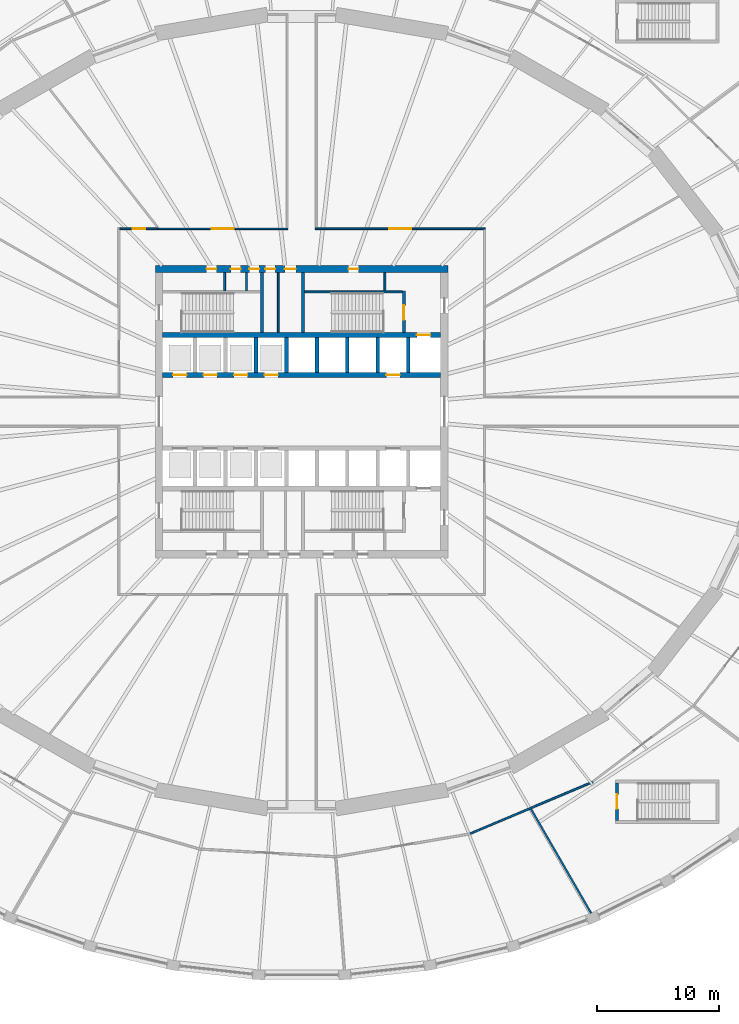
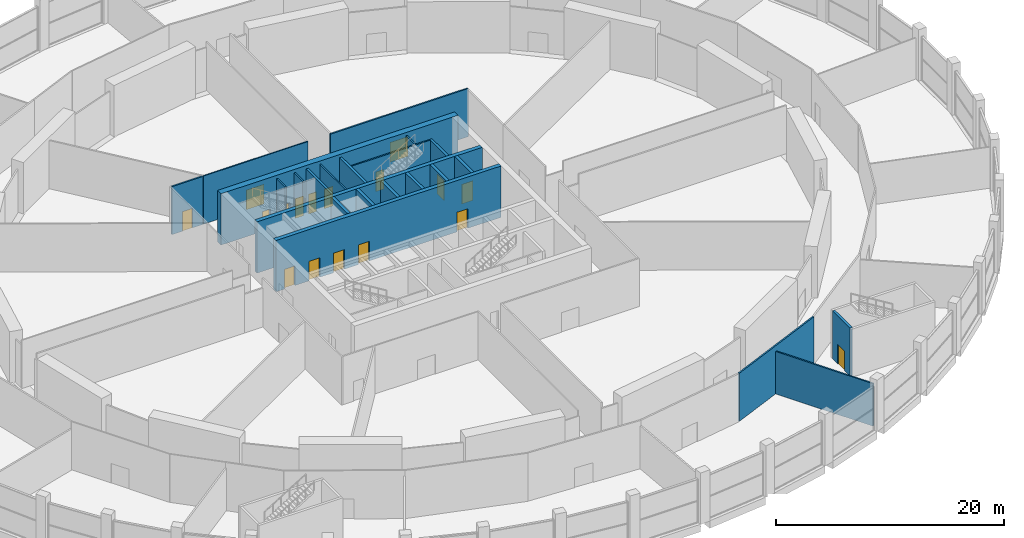
# One storey, part 22 of 29: 23 walls, 17 doors, 17 openings.
"""IFC4 building model written with IfcOpenShell, lengths in metres."""

from ifc_helpers import new_model, si_unit, direction, frame, frame_2d, origin, place, context, subcontext, project, spatial, polyline, rectangle, outline, extrude, material, layer, layer_set, type_object, element, fill, save


model = new_model("IFC4")

# Units and contexts
model_context = context("Model", 3, precision=1e-05, world=origin(), true_north=direction((0.0, 1.0)))
body_context = subcontext(model_context, "Body", "Model", "MODEL_VIEW")
ifc_project = project(units=[si_unit("LENGTHUNIT", "METRE"), si_unit("AREAUNIT", "SQUARE_METRE"), si_unit("VOLUMEUNIT", "CUBIC_METRE"), si_unit("PLANEANGLEUNIT", "RADIAN"), si_unit("MASSUNIT", "GRAM", prefix="KILO")], contexts=[model_context])

# Site, building, storey
site_placement = place(None, origin())
site = spatial("IfcSite", under=ifc_project, at=site_placement, CompositionType="ELEMENT")
building_placement = place(site_placement, origin())
building = spatial("IfcBuilding", under=site, at=building_placement, Name="Halqa Exchange Tower", CompositionType="ELEMENT")
storey_placement = place(building_placement, frame((0.0, 0.0, 12.5)))
storey = spatial("IfcBuildingStorey", under=building, at=storey_placement, Name="L02", CompositionType="ELEMENT", Elevation=12.5)

# Wall, opening, door
ifc_material_1 = material(Name="Fire-rated gypsum board")
ifc_layer_1 = layer(ifc_material_1, 0.14990234375)
ifc_layer_set_1 = layer_set([ifc_layer_1], Name="Fire-rated gypsum board")
wall_type_1 = type_object("IfcWallType", Name="Fire partition EI 60 150", PredefinedType="PARTITIONING", material=ifc_layer_set_1)
wall_1_placement = place(storey_placement, frame((-14.925048828125, 15.0, 0.0), z_axis=(0.0, 0.0, 1.0), x_axis=(1.0, 0.0, 0.0)))
wall_1 = element("IfcWall", 1, at=wall_1_placement, inside=storey, type_object=wall_type_1, Name="L02-PWL-034", PredefinedType="PARTITIONING", context=body_context, shape_type="SweptSolid", body=[
    extrude(rectangle(XDim=3.114990234375, YDim=0.14990234375, at=frame_2d((1.5576171875, 0.0))), origin(), (0.0, 0.0, 1.0), 5.14990234375),
])
opening_1_placement = place(wall_1_placement, frame((1.074951171875, 0.0, 0.0)))
opening_1 = element("IfcOpeningElement", 2, at=opening_1_placement, cuts=wall_1, Name="Opening L02-06", PredefinedType="OPENING", context=body_context, shape_type="SweptSolid", body=[
    extrude(rectangle(XDim=1.0, YDim=2.10009765625, at=frame_2d((0.5, 1.050048828125))), frame((0.0, 0.0869140625, 0.0), z_axis=(0.0, -1.0, 0.0), x_axis=(1.0, 0.0, 0.0)), (0.0, 0.0, 1.0), 0.173828125),
])
ifc_material_2 = material(Name="Steel fire door leaf", Category="steel")
door_type_1 = type_object("IfcDoorType", Name="Fire door FD30S 1000 x 2100", OperationType="SINGLE_SWING_LEFT", PredefinedType="DOOR", material=ifc_material_2)
door_1_placement = place(opening_1_placement, origin())
door_1 = element("IfcDoor", 3, at=door_1_placement, inside=storey, type_object=door_type_1, Name="L02-IDR-006", OperationType="SINGLE_SWING_LEFT", OverallHeight=2.10009765625, OverallWidth=1.0, PredefinedType="DOOR", context=body_context, shape_type="SweptSolid", body=[
    extrude(rectangle(XDim=1.0, YDim=2.10009765625, at=frame_2d((0.5, 1.050048828125))), frame((0.0, 0.02490234375, 0.0), z_axis=(0.0, -1.0, 0.0), x_axis=(1.0, 0.0, 0.0)), (0.0, 0.0, 1.0), 0.050048828125),
])
fill(opening_1, door_1)

wall_2_placement = place(storey_placement, frame((1.125, 15.0, 0.0), z_axis=(0.0, 0.0, 1.0), x_axis=(1.0, 0.0, 0.0)))
wall_2 = element("IfcWall", 4, at=wall_2_placement, inside=storey, type_object=wall_type_1, Name="L02-PWL-049", PredefinedType="PARTITIONING", context=body_context, shape_type="SweptSolid", body=[
    extrude(rectangle(XDim=13.949951171875, YDim=0.14990234375, at=frame_2d((6.97509765625, 0.0))), origin(), (0.0, 0.0, 1.0), 5.14990234375),
])
opening_2_placement = place(wall_2_placement, frame((6.06005859375, 0.0, 0.0)))
opening_2 = element("IfcOpeningElement", 5, at=opening_2_placement, cuts=wall_2, Name="Opening L02-02", PredefinedType="OPENING", context=body_context, shape_type="SweptSolid", body=[
    extrude(rectangle(XDim=1.800048828125, YDim=2.10009765625, at=frame_2d((0.89990234375, 1.050048828125))), frame((0.0, 0.0869140625, 0.0), z_axis=(0.0, -1.0, 0.0), x_axis=(1.0, 0.0, 0.0)), (0.0, 0.0, 1.0), 0.173828125),
])
door_type_2 = type_object("IfcDoorType", Name="Fire door FD30S double 1800 x 2100", OperationType="DOUBLE_DOOR_SINGLE_SWING", PredefinedType="DOOR", material=ifc_material_2)
door_2_placement = place(opening_2_placement, frame((1.800048828125, 0.0, 0.0), z_axis=(0.0, 0.0, 1.0), x_axis=(-1.0, 0.0, 0.0)))
door_2 = element("IfcDoor", 6, at=door_2_placement, inside=storey, type_object=door_type_2, Name="L02-IDR-002", OperationType="DOUBLE_DOOR_SINGLE_SWING", OverallHeight=2.10009765625, OverallWidth=1.800048828125, PredefinedType="DOOR", context=body_context, shape_type="SweptSolid", body=[
    extrude(rectangle(XDim=1.800048828125, YDim=2.10009765625, at=frame_2d((0.89990234375, 1.050048828125))), frame((0.0, 0.02490234375, 0.0), z_axis=(0.0, -1.0, 0.0), x_axis=(1.0, 0.0, 0.0)), (0.0, 0.0, 1.0), 0.050048828125),
])
fill(opening_2, door_2)

# Walls
wall_3_placement = place(storey_placement, frame((13.8525390625, -34.61083984375, 0.0), z_axis=(0.0, 0.0, 1.0), x_axis=(0.9212761968, 0.388908947197, 0.0)))
element("IfcWall", 7, at=wall_3_placement, inside=storey, type_object=wall_type_1, Name="L02-PWL-057", PredefinedType="PARTITIONING", context=body_context, shape_type="SweptSolid", body=[
    extrude(rectangle(XDim=10.874755859375, YDim=0.14990234375, at=frame_2d((5.4375, 0.0))), origin(), (0.0, 0.0, 1.0), 5.14990234375),
])
wall_4_placement = place(storey_placement, frame((23.7451171875, -41.150390625, 0.0), z_axis=(0.0, 0.0, 1.0), x_axis=(-0.499854452602, 0.866109419308, 0.0)))
element("IfcWall", 8, at=wall_4_placement, inside=storey, type_object=wall_type_1, Name="L02-PWL-068", PredefinedType="PARTITIONING", context=body_context, shape_type="SweptSolid", body=[
    extrude(outline(polyline([(-0.00927734375, -0.074951171875), (9.8642578125, -0.074951171875), (9.8828125, 0.074951171875), (0.00927734375, 0.074951171875), (-0.00927734375, -0.074951171875)])), origin(), (0.0, 0.0, 1.0), 4.550048828125),
])

# Wall, opening, door
ifc_material_3 = material(Name="Fire-rated glazing", Category="glass")
ifc_layer_2 = layer(ifc_material_3, 0.1201171875)
ifc_layer_set_2 = layer_set([ifc_layer_2], Name="Fire-rated glazing")
wall_type_2 = type_object("IfcWallType", Name="Glazed fire partition EI 60 120", PredefinedType="PARTITIONING", material=ifc_layer_set_2)
wall_5_placement = place(storey_placement, frame((-11.755615234375, 15.0, 0.0), z_axis=(0.0, 0.0, 1.0), x_axis=(1.0, 0.0, 0.0)))
wall_5 = element("IfcWall", 9, at=wall_5_placement, inside=storey, type_object=wall_type_2, Name="L02-PWL-038", PredefinedType="PARTITIONING", context=body_context, shape_type="SweptSolid", body=[
    extrude(rectangle(XDim=10.61572265625, YDim=0.1201171875, at=frame_2d((5.307861328125, 0.0))), origin(), (0.0, 0.0, 1.0), 5.14990234375),
])
opening_3_placement = place(wall_5_placement, frame((4.386474609375, 0.0, 0.0)))
opening_3 = element("IfcOpeningElement", 10, at=opening_3_placement, cuts=wall_5, Name="Opening L02-05", PredefinedType="OPENING", context=body_context, shape_type="SweptSolid", body=[
    extrude(rectangle(XDim=1.800048828125, YDim=2.10009765625, at=frame_2d((0.89990234375, 1.050048828125))), frame((0.0, 0.072021484375, 0.0), z_axis=(0.0, -1.0, 0.0), x_axis=(1.0, 0.0, 0.0)), (0.0, 0.0, 1.0), 0.14404296875),
])
door_3_placement = place(opening_3_placement, origin())
door_3 = element("IfcDoor", 11, at=door_3_placement, inside=storey, type_object=door_type_2, Name="L02-IDR-005", OperationType="DOUBLE_DOOR_SINGLE_SWING", OverallHeight=2.10009765625, OverallWidth=1.800048828125, PredefinedType="DOOR", context=body_context, shape_type="SweptSolid", body=[
    extrude(rectangle(XDim=1.800048828125, YDim=2.10009765625, at=frame_2d((0.89990234375, 1.050048828125))), frame((0.0, 0.02490234375, 0.0), z_axis=(0.0, -1.0, 0.0), x_axis=(1.0, 0.0, 0.0)), (0.0, 0.0, 1.0), 0.050048828125),
])
fill(opening_3, door_3)

# Walls
ifc_material_4 = material(Name="Gypsum board")
ifc_layer_3 = layer(ifc_material_4, 0.14990234375)
ifc_layer_set_3 = layer_set([ifc_layer_3], Name="Gypsum board")
wall_type_3 = type_object("IfcWallType", Name="Penthouse riser wall 150 gypsum", PredefinedType="PARTITIONING", material=ifc_layer_set_3)
wall_6_placement = place(storey_placement, frame((-1.925048828125, 6.5, 0.0), z_axis=(0.0, 0.0, 1.0), x_axis=(0.0, 1.0, 0.0)))
element("IfcWall", 12, at=wall_6_placement, inside=storey, type_object=wall_type_3, Name="Partition W1.925 N", PredefinedType="PARTITIONING", context=body_context, shape_type="SweptSolid", body=[
    extrude(rectangle(XDim=4.89990234375, YDim=0.14990234375, at=frame_2d((2.449951171875, 0.0))), origin(), (0.0, 0.0, 1.0), 5.14990234375),
])
for number, where, z_axis, x_axis, name in (
    (13, (-6.324951171875, 9.89990234375, 0.0), (0.0, 0.0, 1.0), (0.0, 1.0, 0.0), "Partition W6.325 N"),
    (14, (-4.52490234375, 9.89990234375, 0.0), (0.0, 0.0, 1.0), (0.0, 1.0, 0.0), "Partition W4.525 N"),
    (15, (6.824951171875, 9.89990234375, 0.0), (0.0, 0.0, 1.0), (0.0, 1.0, 0.0), "Firefighting lobby west wall N"),
):
    element("IfcWall", number, at=place(storey_placement, frame(where, z_axis=z_axis, x_axis=x_axis)), inside=storey, type_object=wall_type_3, Name=name, PredefinedType="PARTITIONING", context=body_context, shape_type="SweptSolid", body=[
        extrude(rectangle(XDim=1.5, YDim=0.14990234375, at=frame_2d((0.75, 0.0))), origin(), (0.0, 0.0, 1.0), 5.14990234375),
    ])
ifc_material_5 = material(Name="Concrete C60/75", Category="concrete")
ifc_layer_4 = layer(ifc_material_5, 0.300048828125)
ifc_layer_set_4 = layer_set([ifc_layer_4], Name="Concrete C60/75")
wall_type_4 = type_object("IfcWallType", Name="RC core wall 300", PredefinedType="SHEAR", material=ifc_layer_set_4)
for number, where, z_axis, x_axis, name in (
    (16, (-3.75, 3.199951171875, 0.0), (0.0, 0.0, 1.0), (0.0, 1.0, 0.0), "Shaft divider N3"),
    (17, (-1.25, 3.199951171875, 0.0), (0.0, 0.0, 1.0), (0.0, 1.0, 0.0), "Shaft divider N4"),
    (18, (1.25, 3.199951171875, 0.0), (0.0, 0.0, 1.0), (0.0, 1.0, 0.0), "Shaft divider N5"),
    (19, (3.75, 3.199951171875, 0.0), (0.0, 0.0, 1.0), (0.0, 1.0, 0.0), "Shaft divider N6"),
    (20, (6.25, 3.199951171875, 0.0), (0.0, 0.0, 1.0), (0.0, 1.0, 0.0), "Shaft divider N7"),
    (21, (8.75, 3.199951171875, 0.0), (0.0, 0.0, 1.0), (0.0, 1.0, 0.0), "Shaft divider N8"),
):
    element("IfcWall", number, at=place(storey_placement, frame(where, z_axis=z_axis, x_axis=x_axis)), inside=storey, type_object=wall_type_4, Name=name, PredefinedType="SHEAR", context=body_context, shape_type="SweptSolid", body=[
        extrude(rectangle(XDim=2.900146484375, YDim=0.300048828125, at=frame_2d((1.4501953125, 0.0))), origin(), (0.0, 0.0, 1.0), 5.5),
    ])

# Wall, openings, doors
ifc_material_6 = material(Name="Concrete C80/95", Category="concrete")
ifc_layer_5 = layer(ifc_material_6, 0.39990234375)
ifc_layer_set_5 = layer_set([ifc_layer_5], Name="Concrete C80/95")
wall_type_5 = type_object("IfcWallType", Name="RC core wall 400 C80/95", PredefinedType="SHEAR", material=ifc_layer_set_5)
wall_7_placement = place(storey_placement, frame((-11.39990234375, 3.0, 0.0), z_axis=(0.0, 0.0, 1.0), x_axis=(1.0, 0.0, 0.0)))
wall_7 = element("IfcWall", 22, at=wall_7_placement, inside=storey, type_object=wall_type_5, Name="Lift row front wall N", PredefinedType="SHEAR", context=body_context, shape_type="SweptSolid", body=[
    extrude(rectangle(XDim=22.7998046875, YDim=0.39990234375, at=frame_2d((11.39990234375, 0.0))), origin(), (0.0, 0.0, 1.0), 5.5),
])
opening_4_placement = place(wall_7_placement, frame((0.85009765625, 0.0, 0.0)))
opening_4 = element("IfcOpeningElement", 23, at=opening_4_placement, cuts=wall_7, Name="Opening LD-LR1-L02", PredefinedType="OPENING", context=body_context, shape_type="SweptSolid", body=[
    extrude(rectangle(XDim=1.10009765625, YDim=2.10009765625, at=frame_2d((0.550048828125, 1.050048828125))), frame((0.0, 0.2119140625, 0.0), z_axis=(0.0, -1.0, 0.0), x_axis=(1.0, 0.0, 0.0)), (0.0, 0.0, 1.0), 0.423828125),
])
opening_5_placement = place(wall_7_placement, frame((3.35009765625, 0.0, 0.0)))
opening_5 = element("IfcOpeningElement", 24, at=opening_5_placement, cuts=wall_7, Name="Opening LD-LR2-L02", PredefinedType="OPENING", context=body_context, shape_type="SweptSolid", body=[
    extrude(rectangle(XDim=1.10009765625, YDim=2.10009765625, at=frame_2d((0.550048828125, 1.050048828125))), frame((0.0, 0.2119140625, 0.0), z_axis=(0.0, -1.0, 0.0), x_axis=(1.0, 0.0, 0.0)), (0.0, 0.0, 1.0), 0.423828125),
])
opening_6_placement = place(wall_7_placement, frame((5.85009765625, 0.0, 0.0)))
opening_6 = element("IfcOpeningElement", 25, at=opening_6_placement, cuts=wall_7, Name="Opening LD-LR3-L02", PredefinedType="OPENING", context=body_context, shape_type="SweptSolid", body=[
    extrude(rectangle(XDim=1.10009765625, YDim=2.10009765625, at=frame_2d((0.550048828125, 1.050048828125))), frame((0.0, 0.2119140625, 0.0), z_axis=(0.0, -1.0, 0.0), x_axis=(1.0, 0.0, 0.0)), (0.0, 0.0, 1.0), 0.423828125),
])
opening_7_placement = place(wall_7_placement, frame((8.35009765625, 0.0, 0.0)))
opening_7 = element("IfcOpeningElement", 26, at=opening_7_placement, cuts=wall_7, Name="Opening LD-LR4-L02", PredefinedType="OPENING", context=body_context, shape_type="SweptSolid", body=[
    extrude(rectangle(XDim=1.10009765625, YDim=2.10009765625, at=frame_2d((0.550048828125, 1.050048828125))), frame((0.0, 0.2119140625, 0.0), z_axis=(0.0, -1.0, 0.0), x_axis=(1.0, 0.0, 0.0)), (0.0, 0.0, 1.0), 0.423828125),
])
opening_8_placement = place(wall_7_placement, frame((18.35009765625, 0.0, 0.0)))
opening_8 = element("IfcOpeningElement", 27, at=opening_8_placement, cuts=wall_7, Name="Opening LD-SV1-L02", PredefinedType="OPENING", context=body_context, shape_type="SweptSolid", body=[
    extrude(rectangle(XDim=1.10009765625, YDim=2.10009765625, at=frame_2d((0.550048828125, 1.050048828125))), frame((0.0, 0.2119140625, 0.0), z_axis=(0.0, -1.0, 0.0), x_axis=(1.0, 0.0, 0.0)), (0.0, 0.0, 1.0), 0.423828125),
])
ifc_material_7 = material(Name="Stainless steel", Category="steel")
door_type_3 = type_object("IfcDoorType", Name="Lift landing door 1100 x 2100", OperationType="SLIDING_TO_LEFT", PredefinedType="DOOR", material=ifc_material_7)
door_4_placement = place(opening_4_placement, origin())
door_4 = element("IfcDoor", 28, at=door_4_placement, inside=storey, type_object=door_type_3, Name="Lift landing door LR1", OperationType="SLIDING_TO_LEFT", OverallHeight=2.10009765625, OverallWidth=1.10009765625, PredefinedType="DOOR", context=body_context, shape_type="SweptSolid", body=[
    extrude(rectangle(XDim=1.10009765625, YDim=2.10009765625, at=frame_2d((0.550048828125, 1.050048828125))), frame((0.0, 0.02490234375, 0.0), z_axis=(0.0, -1.0, 0.0), x_axis=(1.0, 0.0, 0.0)), (0.0, 0.0, 1.0), 0.050048828125),
])
fill(opening_4, door_4)
door_5_placement = place(opening_5_placement, origin())
door_5 = element("IfcDoor", 29, at=door_5_placement, inside=storey, type_object=door_type_3, Name="Lift landing door LR2", OperationType="SLIDING_TO_LEFT", OverallHeight=2.10009765625, OverallWidth=1.10009765625, PredefinedType="DOOR", context=body_context, shape_type="SweptSolid", body=[
    extrude(rectangle(XDim=1.10009765625, YDim=2.10009765625, at=frame_2d((0.550048828125, 1.050048828125))), frame((0.0, 0.02490234375, 0.0), z_axis=(0.0, -1.0, 0.0), x_axis=(1.0, 0.0, 0.0)), (0.0, 0.0, 1.0), 0.050048828125),
])
fill(opening_5, door_5)
door_6_placement = place(opening_6_placement, origin())
door_6 = element("IfcDoor", 30, at=door_6_placement, inside=storey, type_object=door_type_3, Name="Lift landing door LR3", OperationType="SLIDING_TO_LEFT", OverallHeight=2.10009765625, OverallWidth=1.10009765625, PredefinedType="DOOR", context=body_context, shape_type="SweptSolid", body=[
    extrude(rectangle(XDim=1.10009765625, YDim=2.10009765625, at=frame_2d((0.550048828125, 1.050048828125))), frame((0.0, 0.02490234375, 0.0), z_axis=(0.0, -1.0, 0.0), x_axis=(1.0, 0.0, 0.0)), (0.0, 0.0, 1.0), 0.050048828125),
])
fill(opening_6, door_6)
door_7_placement = place(opening_7_placement, origin())
door_7 = element("IfcDoor", 31, at=door_7_placement, inside=storey, type_object=door_type_3, Name="Lift landing door LR4", OperationType="SLIDING_TO_LEFT", OverallHeight=2.10009765625, OverallWidth=1.10009765625, PredefinedType="DOOR", context=body_context, shape_type="SweptSolid", body=[
    extrude(rectangle(XDim=1.10009765625, YDim=2.10009765625, at=frame_2d((0.550048828125, 1.050048828125))), frame((0.0, 0.02490234375, 0.0), z_axis=(0.0, -1.0, 0.0), x_axis=(1.0, 0.0, 0.0)), (0.0, 0.0, 1.0), 0.050048828125),
])
fill(opening_7, door_7)
door_8_placement = place(opening_8_placement, origin())
door_8 = element("IfcDoor", 32, at=door_8_placement, inside=storey, type_object=door_type_3, Name="Lift landing door SV1", OperationType="SLIDING_TO_LEFT", OverallHeight=2.10009765625, OverallWidth=1.10009765625, PredefinedType="DOOR", context=body_context, shape_type="SweptSolid", body=[
    extrude(rectangle(XDim=1.10009765625, YDim=2.10009765625, at=frame_2d((0.550048828125, 1.050048828125))), frame((0.0, 0.02490234375, 0.0), z_axis=(0.0, -1.0, 0.0), x_axis=(1.0, 0.0, 0.0)), (0.0, 0.0, 1.0), 0.050048828125),
])
fill(opening_8, door_8)

# Wall, opening, door
wall_8_placement = place(storey_placement, frame((-11.39990234375, 6.300048828125, 0.0), z_axis=(0.0, 0.0, 1.0), x_axis=(1.0, 0.0, 0.0)))
wall_8 = element("IfcWall", 33, at=wall_8_placement, inside=storey, type_object=wall_type_5, Name="Lift row back wall N", PredefinedType="SHEAR", context=body_context, shape_type="SweptSolid", body=[
    extrude(rectangle(XDim=22.7998046875, YDim=0.39990234375, at=frame_2d((11.39990234375, 0.0))), origin(), (0.0, 0.0, 1.0), 5.5),
])
opening_9_placement = place(wall_8_placement, frame((20.85009765625, 0.0, 0.0)))
opening_9 = element("IfcOpeningElement", 34, at=opening_9_placement, cuts=wall_8, Name="Opening LD-FF1-L02", PredefinedType="OPENING", context=body_context, shape_type="SweptSolid", body=[
    extrude(rectangle(XDim=1.10009765625, YDim=2.10009765625, at=frame_2d((0.550048828125, 1.050048828125))), frame((0.0, 0.2119140625, 0.0), z_axis=(0.0, -1.0, 0.0), x_axis=(1.0, 0.0, 0.0)), (0.0, 0.0, 1.0), 0.423828125),
])
door_9_placement = place(opening_9_placement, origin())
door_9 = element("IfcDoor", 35, at=door_9_placement, inside=storey, type_object=door_type_3, Name="Lift landing door FF1", OperationType="SLIDING_TO_LEFT", OverallHeight=2.10009765625, OverallWidth=1.10009765625, PredefinedType="DOOR", context=body_context, shape_type="SweptSolid", body=[
    extrude(rectangle(XDim=1.10009765625, YDim=2.10009765625, at=frame_2d((0.550048828125, 1.050048828125))), frame((0.0, 0.02490234375, 0.0), z_axis=(0.0, -1.0, 0.0), x_axis=(1.0, 0.0, 0.0)), (0.0, 0.0, 1.0), 0.050048828125),
])
fill(opening_9, door_9)

# Wall, openings, doors
ifc_layer_6 = layer(ifc_material_6, 0.60009765625)
ifc_layer_set_6 = layer_set([ifc_layer_6], Name="Concrete C80/95")
wall_type_6 = type_object("IfcWallType", Name="RC core wall 600 C80/95", PredefinedType="SHEAR", material=ifc_layer_set_6)
wall_9_placement = place(storey_placement, frame((-12.0, 11.699951171875, 0.0), z_axis=(0.0, 0.0, 1.0), x_axis=(1.0, 0.0, 0.0)))
wall_9 = element("IfcWall", 36, at=wall_9_placement, inside=storey, type_object=wall_type_6, Name="Core wall north", PredefinedType="SHEAR", context=body_context, shape_type="SweptSolid", body=[
    extrude(rectangle(XDim=24.0, YDim=0.60009765625, at=frame_2d((12.0, 0.0))), origin(), (0.0, 0.0, 1.0), 5.5),
])
opening_10_placement = place(wall_9_placement, frame((9.02490234375, 0.0, 0.0)))
opening_10 = element("IfcOpeningElement", 37, at=opening_10_placement, cuts=wall_9, Name="Opening L02-C25", PredefinedType="OPENING", context=body_context, shape_type="SweptSolid", body=[
    extrude(rectangle(XDim=0.800048828125, YDim=2.10009765625, at=frame_2d((0.39990234375, 1.050048828125))), frame((0.0, 0.31201171875, 0.0), z_axis=(0.0, -1.0, 0.0), x_axis=(1.0, 0.0, 0.0)), (0.0, 0.0, 1.0), 0.6240234375),
])
opening_11_placement = place(wall_9_placement, frame((10.625, 0.0, 0.0)))
opening_11 = element("IfcOpeningElement", 38, at=opening_11_placement, cuts=wall_9, Name="Opening L02-C26", PredefinedType="OPENING", context=body_context, shape_type="SweptSolid", body=[
    extrude(rectangle(XDim=0.89990234375, YDim=2.10009765625, at=frame_2d((0.449951171875, 1.050048828125))), frame((0.0, 0.31201171875, 0.0), z_axis=(0.0, -1.0, 0.0), x_axis=(1.0, 0.0, 0.0)), (0.0, 0.0, 1.0), 0.6240234375),
])
opening_12_placement = place(wall_9_placement, frame((4.199951171875, 0.0, 0.0)))
opening_12 = element("IfcOpeningElement", 39, at=opening_12_placement, cuts=wall_9, Name="Opening L02-C27", PredefinedType="OPENING", context=body_context, shape_type="SweptSolid", body=[
    extrude(rectangle(XDim=0.800048828125, YDim=2.10009765625, at=frame_2d((0.39990234375, 1.050048828125))), frame((0.0, 0.31201171875, 0.0), z_axis=(0.0, -1.0, 0.0), x_axis=(1.0, 0.0, 0.0)), (0.0, 0.0, 1.0), 0.6240234375),
])
opening_13_placement = place(wall_9_placement, frame((6.199951171875, 0.0, 0.0)))
opening_13 = element("IfcOpeningElement", 40, at=opening_13_placement, cuts=wall_9, Name="Opening L02-C28", PredefinedType="OPENING", context=body_context, shape_type="SweptSolid", body=[
    extrude(rectangle(XDim=0.800048828125, YDim=2.10009765625, at=frame_2d((0.39990234375, 1.050048828125))), frame((0.0, 0.31201171875, 0.0), z_axis=(0.0, -1.0, 0.0), x_axis=(1.0, 0.0, 0.0)), (0.0, 0.0, 1.0), 0.6240234375),
])
opening_14_placement = place(wall_9_placement, frame((7.699951171875, 0.0, 0.0)))
opening_14 = element("IfcOpeningElement", 41, at=opening_14_placement, cuts=wall_9, Name="Opening L02-C29", PredefinedType="OPENING", context=body_context, shape_type="SweptSolid", body=[
    extrude(rectangle(XDim=0.800048828125, YDim=2.10009765625, at=frame_2d((0.39990234375, 1.050048828125))), frame((0.0, 0.31201171875, 0.0), z_axis=(0.0, -1.0, 0.0), x_axis=(1.0, 0.0, 0.0)), (0.0, 0.0, 1.0), 0.6240234375),
])
opening_15_placement = place(wall_9_placement, frame((15.85009765625, 0.0, 0.0)))
opening_15 = element("IfcOpeningElement", 42, at=opening_15_placement, cuts=wall_9, Name="Opening L02-C30", PredefinedType="OPENING", context=body_context, shape_type="SweptSolid", body=[
    extrude(rectangle(XDim=0.800048828125, YDim=2.10009765625, at=frame_2d((0.39990234375, 1.050048828125))), frame((0.0, 0.31201171875, 0.0), z_axis=(0.0, -1.0, 0.0), x_axis=(1.0, 0.0, 0.0)), (0.0, 0.0, 1.0), 0.6240234375),
])
ifc_material_8 = material(Name="Timber fire door leaf", Category="wood")
door_type_4 = type_object("IfcDoorType", Name="Core room door FD30 900 x 2100", OperationType="SINGLE_SWING_LEFT", PredefinedType="DOOR", material=ifc_material_8)
door_10_placement = place(opening_11_placement, frame((0.89990234375, 0.0, 0.0), z_axis=(0.0, 0.0, 1.0), x_axis=(-1.0, 0.0, 0.0)))
door_10 = element("IfcDoor", 43, at=door_10_placement, inside=storey, type_object=door_type_4, Name="Core room door", OperationType="SINGLE_SWING_LEFT", OverallHeight=2.10009765625, OverallWidth=0.89990234375, PredefinedType="DOOR", context=body_context, shape_type="SweptSolid", body=[
    extrude(rectangle(XDim=0.89990234375, YDim=2.10009765625, at=frame_2d((0.449951171875, 1.050048828125))), frame((0.0, 0.02490234375, 0.0), z_axis=(0.0, -1.0, 0.0), x_axis=(1.0, 0.0, 0.0)), (0.0, 0.0, 1.0), 0.050048828125),
])
fill(opening_11, door_10)
door_type_5 = type_object("IfcDoorType", Name="Riser door FD60 800 x 2100", OperationType="SINGLE_SWING_LEFT", PredefinedType="DOOR", material=ifc_material_2)
door_11_placement = place(opening_10_placement, frame((0.800048828125, 0.0, 0.0), z_axis=(0.0, 0.0, 1.0), x_axis=(-1.0, 0.0, 0.0)))
door_11 = element("IfcDoor", 44, at=door_11_placement, inside=storey, type_object=door_type_5, Name="Core room door", OperationType="SINGLE_SWING_LEFT", OverallHeight=2.10009765625, OverallWidth=0.800048828125, PredefinedType="DOOR", context=body_context, shape_type="SweptSolid", body=[
    extrude(rectangle(XDim=0.800048828125, YDim=2.10009765625, at=frame_2d((0.39990234375, 1.050048828125))), frame((0.0, 0.02490234375, 0.0), z_axis=(0.0, -1.0, 0.0), x_axis=(1.0, 0.0, 0.0)), (0.0, 0.0, 1.0), 0.050048828125),
])
fill(opening_10, door_11)
door_12_placement = place(opening_12_placement, frame((0.800048828125, 0.0, 0.0), z_axis=(0.0, 0.0, 1.0), x_axis=(-1.0, 0.0, 0.0)))
door_12 = element("IfcDoor", 45, at=door_12_placement, inside=storey, type_object=door_type_5, Name="Core room door", OperationType="SINGLE_SWING_RIGHT", OverallHeight=2.10009765625, OverallWidth=0.800048828125, PredefinedType="DOOR", context=body_context, shape_type="SweptSolid", body=[
    extrude(rectangle(XDim=0.800048828125, YDim=2.10009765625, at=frame_2d((0.39990234375, 1.050048828125))), frame((0.0, 0.02490234375, 0.0), z_axis=(0.0, -1.0, 0.0), x_axis=(1.0, 0.0, 0.0)), (0.0, 0.0, 1.0), 0.050048828125),
])
fill(opening_12, door_12)
door_13_placement = place(opening_13_placement, frame((0.800048828125, 0.0, 0.0), z_axis=(0.0, 0.0, 1.0), x_axis=(-1.0, 0.0, 0.0)))
door_13 = element("IfcDoor", 46, at=door_13_placement, inside=storey, type_object=door_type_5, Name="Core room door", OperationType="SINGLE_SWING_RIGHT", OverallHeight=2.10009765625, OverallWidth=0.800048828125, PredefinedType="DOOR", context=body_context, shape_type="SweptSolid", body=[
    extrude(rectangle(XDim=0.800048828125, YDim=2.10009765625, at=frame_2d((0.39990234375, 1.050048828125))), frame((0.0, 0.02490234375, 0.0), z_axis=(0.0, -1.0, 0.0), x_axis=(1.0, 0.0, 0.0)), (0.0, 0.0, 1.0), 0.050048828125),
])
fill(opening_13, door_13)
door_14_placement = place(opening_14_placement, frame((0.800048828125, 0.0, 0.0), z_axis=(0.0, 0.0, 1.0), x_axis=(-1.0, 0.0, 0.0)))
door_14 = element("IfcDoor", 47, at=door_14_placement, inside=storey, type_object=door_type_5, Name="Core room door", OperationType="SINGLE_SWING_RIGHT", OverallHeight=2.10009765625, OverallWidth=0.800048828125, PredefinedType="DOOR", context=body_context, shape_type="SweptSolid", body=[
    extrude(rectangle(XDim=0.800048828125, YDim=2.10009765625, at=frame_2d((0.39990234375, 1.050048828125))), frame((0.0, 0.02490234375, 0.0), z_axis=(0.0, -1.0, 0.0), x_axis=(1.0, 0.0, 0.0)), (0.0, 0.0, 1.0), 0.050048828125),
])
fill(opening_14, door_14)
door_15_placement = place(opening_15_placement, frame((0.800048828125, 0.0, 0.0), z_axis=(0.0, 0.0, 1.0), x_axis=(-1.0, 0.0, 0.0)))
door_15 = element("IfcDoor", 48, at=door_15_placement, inside=storey, type_object=door_type_5, Name="Core room door", OperationType="SINGLE_SWING_RIGHT", OverallHeight=2.10009765625, OverallWidth=0.800048828125, PredefinedType="DOOR", context=body_context, shape_type="SweptSolid", body=[
    extrude(rectangle(XDim=0.800048828125, YDim=2.10009765625, at=frame_2d((0.39990234375, 1.050048828125))), frame((0.0, 0.02490234375, 0.0), z_axis=(0.0, -1.0, 0.0), x_axis=(1.0, 0.0, 0.0)), (0.0, 0.0, 1.0), 0.050048828125),
])
fill(opening_15, door_15)

# Walls
ifc_material_9 = material(Name="Concrete C30/37", Category="concrete")
ifc_layer_7 = layer(ifc_material_9, 0.14990234375)
ifc_layer_set_7 = layer_set([ifc_layer_7], Name="Concrete C30/37")
wall_type_7 = type_object("IfcWallType", Name="RC stair wall 150 C30/37", PredefinedType="SHEAR", material=ifc_layer_set_7)
wall_10_placement = place(storey_placement, frame((0.25, 9.824951171875, 0.0), z_axis=(0.0, 0.0, 1.0), x_axis=(1.0, 0.0, 0.0)))
element("IfcWall", 49, at=wall_10_placement, inside=storey, type_object=wall_type_7, Name="Stair ST2 north wall N", PredefinedType="SHEAR", context=body_context, shape_type="SweptSolid", body=[
    extrude(rectangle(XDim=8.0, YDim=0.14990234375, at=frame_2d((4.0, 0.0))), origin(), (0.0, 0.0, 1.0), 5.14990234375),
])
ifc_layer_8 = layer(ifc_material_9, 0.25)
ifc_layer_set_8 = layer_set([ifc_layer_8], Name="Concrete C30/37")
wall_type_8 = type_object("IfcWallType", Name="RC stair wall 250 C30/37", PredefinedType="SHEAR", material=ifc_layer_set_8)
for number, where, z_axis, x_axis, name in (
    (50, (-3.27490234375, 6.5, 0.0), (0.0, 0.0, 1.0), (0.0, 1.0, 0.0), "Stair ST1 east wall N"),
    (51, (0.125, 6.5, 0.0), (0.0, 0.0, 1.0), (0.0, 1.0, 0.0), "Stair ST2 west wall N"),
):
    element("IfcWall", number, at=place(storey_placement, frame(where, z_axis=z_axis, x_axis=x_axis)), inside=storey, type_object=wall_type_8, Name=name, PredefinedType="SHEAR", context=body_context, shape_type="SweptSolid", body=[
        extrude(rectangle(XDim=4.89990234375, YDim=0.25, at=frame_2d((2.449951171875, 0.0))), origin(), (0.0, 0.0, 1.0), 5.14990234375),
    ])

# Wall, opening, door
wall_11_placement = place(storey_placement, frame((8.375, 6.5, 0.0), z_axis=(0.0, 0.0, 1.0), x_axis=(0.0, 1.0, 0.0)))
wall_11 = element("IfcWall", 52, at=wall_11_placement, inside=storey, type_object=wall_type_8, Name="Stair ST2 east wall N", PredefinedType="SHEAR", context=body_context, shape_type="SweptSolid", body=[
    extrude(rectangle(XDim=3.39990234375, YDim=0.25, at=frame_2d((1.699951171875, 0.0))), origin(), (0.0, 0.0, 1.0), 5.14990234375),
])
opening_16_placement = place(wall_11_placement, frame((1.02490234375, 0.0, 0.0)))
opening_16 = element("IfcOpeningElement", 53, at=opening_16_placement, cuts=wall_11, Name="Opening L02-C20", PredefinedType="OPENING", context=body_context, shape_type="SweptSolid", body=[
    extrude(rectangle(XDim=1.199951171875, YDim=2.10009765625, at=frame_2d((0.60009765625, 1.050048828125))), frame((0.0, 0.136962890625, 0.0), z_axis=(0.0, -1.0, 0.0), x_axis=(1.0, 0.0, 0.0)), (0.0, 0.0, 1.0), 0.27392578125),
])
door_type_6 = type_object("IfcDoorType", Name="Stair door FD90 1200 x 2100", OperationType="SINGLE_SWING_LEFT", PredefinedType="DOOR", material=ifc_material_2)
door_16_placement = place(opening_16_placement, origin())
door_16 = element("IfcDoor", 54, at=door_16_placement, inside=storey, type_object=door_type_6, Name="Stair door ST2", OperationType="SINGLE_SWING_LEFT", OverallHeight=2.10009765625, OverallWidth=1.199951171875, PredefinedType="DOOR", context=body_context, shape_type="SweptSolid", body=[
    extrude(rectangle(XDim=1.199951171875, YDim=2.10009765625, at=frame_2d((0.60009765625, 1.050048828125))), frame((0.0, 0.02490234375, 0.0), z_axis=(0.0, -1.0, 0.0), x_axis=(1.0, 0.0, 0.0)), (0.0, 0.0, 1.0), 0.050048828125),
])
fill(opening_16, door_16)

wall_12_placement = place(storey_placement, frame((25.875, -33.52490234375, 0.0), z_axis=(0.0, 0.0, 1.0), x_axis=(0.0, 1.0, 0.0)))
wall_12 = element("IfcWall", 55, at=wall_12_placement, inside=storey, type_object=wall_type_8, Name="Stair PS2 wall west", PredefinedType="SHEAR", context=body_context, shape_type="SweptSolid", body=[
    extrude(rectangle(XDim=3.0498046875, YDim=0.25, at=frame_2d((1.52490234375, 0.0))), origin(), (0.0, 0.0, 1.0), 5.14990234375),
])
opening_17_placement = place(wall_12_placement, frame((0.925048828125, 0.0, 0.0)))
opening_17 = element("IfcOpeningElement", 56, at=opening_17_placement, cuts=wall_12, Name="Opening L02-C16", PredefinedType="OPENING", context=body_context, shape_type="SweptSolid", body=[
    extrude(rectangle(XDim=1.199951171875, YDim=2.10009765625, at=frame_2d((0.60009765625, 1.050048828125))), frame((0.0, 0.136962890625, 0.0), z_axis=(0.0, -1.0, 0.0), x_axis=(1.0, 0.0, 0.0)), (0.0, 0.0, 1.0), 0.27392578125),
])
door_17_placement = place(opening_17_placement, origin())
door_17 = element("IfcDoor", 57, at=door_17_placement, inside=storey, type_object=door_type_6, Name="Stair door PS2", OperationType="SINGLE_SWING_LEFT", OverallHeight=2.10009765625, OverallWidth=1.199951171875, PredefinedType="DOOR", context=body_context, shape_type="SweptSolid", body=[
    extrude(rectangle(XDim=1.199951171875, YDim=2.10009765625, at=frame_2d((0.60009765625, 1.050048828125))), frame((0.0, 0.02490234375, 0.0), z_axis=(0.0, -1.0, 0.0), x_axis=(1.0, 0.0, 0.0)), (0.0, 0.0, 1.0), 0.050048828125),
])
fill(opening_17, door_17)

save(model, "model.ifc")
